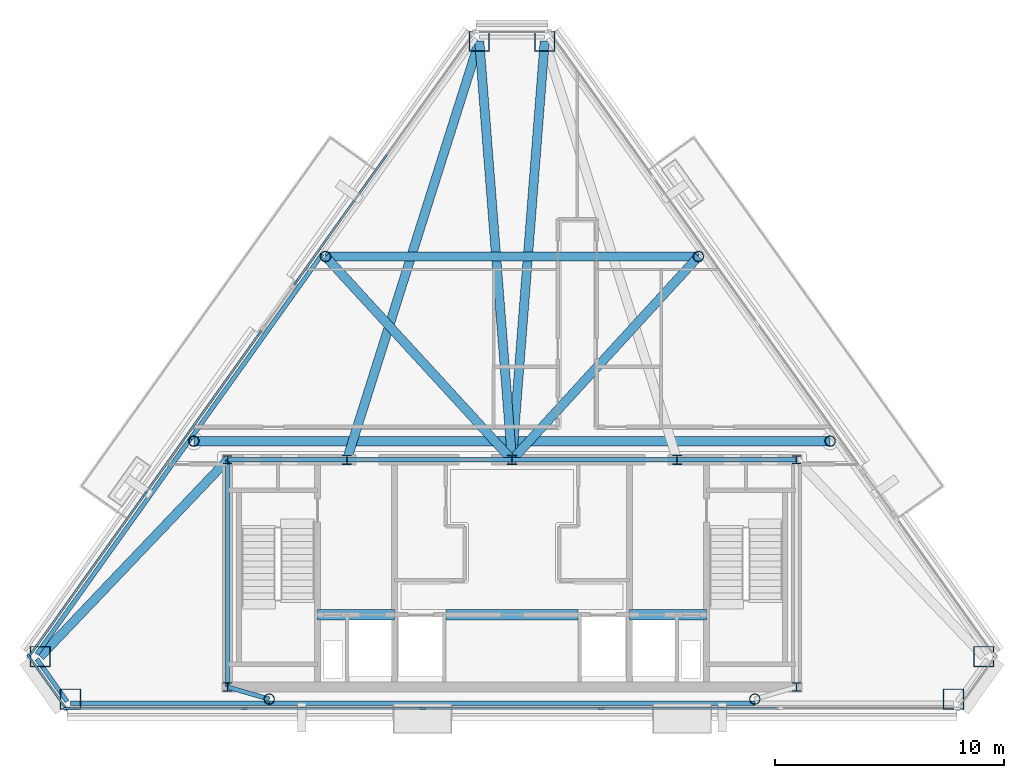
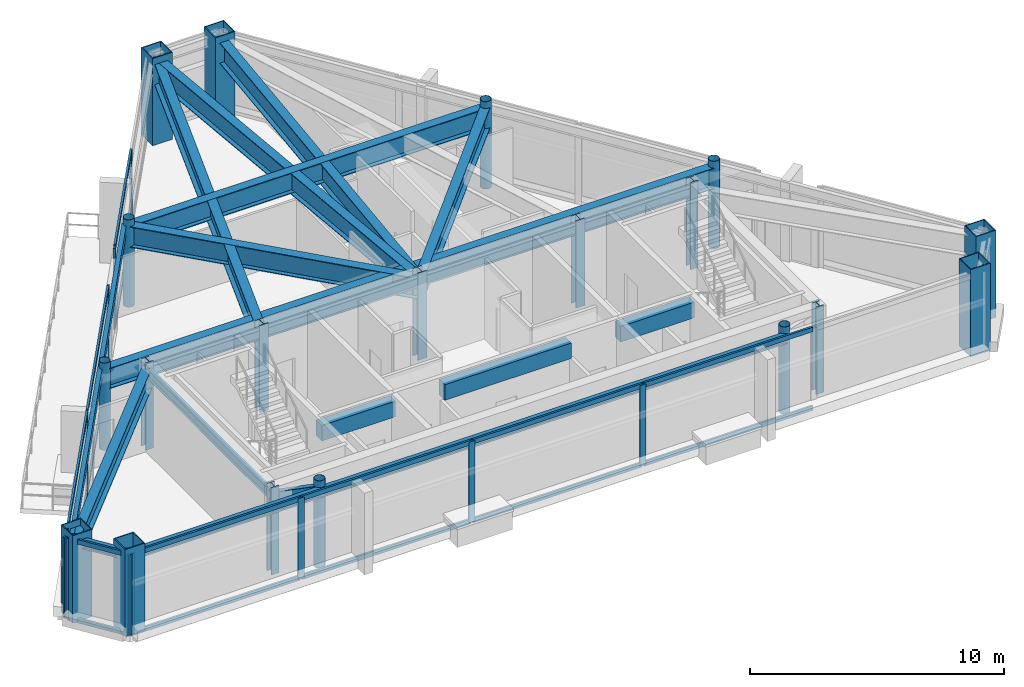
# One storey, part 1 of 7: 27 members, 22 beams, 19 columns, 4 elements without a shape of their own.
"""IFC4 building model written with IfcOpenShell, lengths in metres."""

from ifc_helpers import new_model, si_unit, direction, frame, origin, origin_2d, place, context, subcontext, project, spatial, rectangle, hollow_rectangle, hollow_circle, i_section, extrude, material, layer, layer_set, material_profile, profile_set, type_object, element, aggregate, save


model = new_model("IFC4")

# Units and contexts
model_context = context("Model", 3, precision=1e-05, world=origin(), true_north=direction((0.0, 1.0)))
body_context = subcontext(model_context, "Body", "Model", "MODEL_VIEW")
ifc_project = project(units=[si_unit("LENGTHUNIT", "METRE"), si_unit("AREAUNIT", "SQUARE_METRE"), si_unit("VOLUMEUNIT", "CUBIC_METRE"), si_unit("PLANEANGLEUNIT", "RADIAN"), si_unit("MASSUNIT", "GRAM", prefix="KILO")], contexts=[model_context])

# Site, building, storey
site_placement = place(None, origin())
site = spatial("IfcSite", under=ifc_project, at=site_placement, CompositionType="ELEMENT")
building_placement = place(site_placement, origin())
building = spatial("IfcBuilding", under=site, at=building_placement, Name="Talgorran Terracotta Tower", CompositionType="ELEMENT")
storey_placement = place(building_placement, frame((0.0, 0.0, 293.39990234375)))
storey = spatial("IfcBuildingStorey", under=building, at=storey_placement, Name="L77", CompositionType="ELEMENT", Elevation=293.39990234375)

# Columns
ifc_material_1 = material(Name="Steel S355 (300PLUS)", Category="steel")
ifc_material_profile_1 = material_profile(ifc_material_1, i_section(OverallWidth=0.35205078125, OverallDepth=0.35888671875, WebThickness=0.01806640625, FlangeThickness=0.02587890625, at=origin_2d()), Name="350WC197")
ifc_profile_set_1 = profile_set([ifc_material_profile_1], Name="Steel S355 (300PLUS)")
column_type_1 = type_object("IfcColumnType", Name="COL_350WC197", PredefinedType="COLUMN", material=ifc_profile_set_1)
for number, where, z_axis, x_axis, name in (
    (1, (-12.39990234375, -14.10009765625, 0.0), (0.0, 0.0, 1.0), (1.0, 0.0, 0.0), "L77 Core Boundary Column CC1"),
    (2, (12.39990234375, -14.10009765625, 0.0), (0.0, 0.0, 1.0), (1.0, 0.0, 0.0), "L77 Core Boundary Column CC2"),
    (3, (12.39990234375, -4.199951171875, 0.0), (0.0, 0.0, 1.0), (1.0, 0.0, 0.0), "L77 Core Boundary Column CC3"),
    (4, (-12.39990234375, -4.199951171875, 0.0), (0.0, 0.0, 1.0), (1.0, 0.0, 0.0), "L77 Core Boundary Column CC4"),
):
    element("IfcColumn", number, at=place(storey_placement, frame(where, z_axis=z_axis, x_axis=x_axis)), inside=storey, type_object=column_type_1, Name=name, PredefinedType="COLUMN", context=body_context, shape_type="SweptSolid", body=[
        extrude(i_section(OverallWidth=0.35205078125, OverallDepth=0.35888671875, WebThickness=0.01806640625, FlangeThickness=0.02587890625, at=origin_2d()), origin(), (0.0, 0.0, 1.0), 4.2001953125),
    ])
ifc_material_2 = material(Name="Steel Grade 350 (350L0)", Category="steel")
ifc_material_profile_2 = material_profile(ifc_material_2, hollow_rectangle(XDim=0.89990234375, YDim=0.89990234375, WallThickness=0.0400390625, at=origin_2d()), Name="CFT900X900X40")
ifc_profile_set_2 = profile_set([ifc_material_profile_2], Name="Steel Grade 350 (350L0)")
column_type_2 = type_object("IfcColumnType", Name="COL_CFT_900", PredefinedType="COLUMN", material=ifc_profile_set_2)
for number, where, z_axis, x_axis, name in (
    (5, (-20.566650390625, -12.774658203125, 0.0), (0.0, 0.0, 1.0), (1.0, 0.0, 0.0), "L77 Corner CFT Mega-Column MC1"),
    (6, (-19.242919921875, -14.6298828125, 0.0), (0.0, 0.0, 1.0), (1.0, 0.0, 0.0), "L77 Corner CFT Mega-Column MC2"),
    (7, (19.242919921875, -14.6298828125, 0.0), (0.0, 0.0, 1.0), (1.0, 0.0, 0.0), "L77 Corner CFT Mega-Column MC3"),
    (8, (20.566650390625, -12.774658203125, 0.0), (0.0, 0.0, 1.0), (1.0, 0.0, 0.0), "L77 Corner CFT Mega-Column MC4"),
    (9, (1.4267578125, 14.0546875, 0.0), (0.0, 0.0, 1.0), (1.0, 0.0, 0.0), "L77 Corner CFT Mega-Column MC5"),
    (10, (-1.4267578125, 14.0546875, 0.0), (0.0, 0.0, 1.0), (1.0, 0.0, 0.0), "L77 Corner CFT Mega-Column MC6"),
):
    element("IfcColumn", number, at=place(storey_placement, frame(where, z_axis=z_axis, x_axis=x_axis)), inside=storey, type_object=column_type_2, Name=name, PredefinedType="COLUMN", context=body_context, shape_type="SweptSolid", body=[
        extrude(hollow_rectangle(XDim=0.89990234375, YDim=0.89990234375, WallThickness=0.0400390625, at=origin_2d()), origin(), (0.0, 0.0, 1.0), 4.2001953125),
    ])
ifc_material_3 = material(Name="Steel S350 (C350L0)", Category="steel")
ifc_material_profile_3 = material_profile(ifc_material_3, hollow_circle(Radius=0.228515625, WallThickness=0.01611328125, at=origin_2d()), Name="CHS457X16")
ifc_profile_set_3 = profile_set([ifc_material_profile_3], Name="Steel S350 (C350L0)")
column_type_3 = type_object("IfcColumnType", Name="COL_CHS_457", PredefinedType="COLUMN", material=ifc_profile_set_3)
for number, where, z_axis, x_axis, name in (
    (11, (-10.58349609375, -14.6298828125, 0.0), (0.0, 0.0, 1.0), (1.0, 0.0, 0.0), "L77 Facet Perimeter Column FC1"),
    (12, (10.58349609375, -14.6298828125, 0.0), (0.0, 0.0, 1.0), (1.0, 0.0, 0.0), "L77 Facet Perimeter Column FC2"),
    (13, (13.86767578125, -3.384521484375, 0.0), (0.0, 0.0, 1.0), (1.0, 0.0, 0.0), "L77 Facet Perimeter Column FC3"),
    (14, (8.125732421875, 4.664306640625, 0.0), (0.0, 0.0, 1.0), (1.0, 0.0, 0.0), "L77 Facet Perimeter Column FC4"),
    (15, (-8.125732421875, 4.664306640625, 0.0), (0.0, 0.0, 1.0), (1.0, 0.0, 0.0), "L77 Facet Perimeter Column FC5"),
    (16, (-13.86767578125, -3.384521484375, 0.0), (0.0, 0.0, 1.0), (1.0, 0.0, 0.0), "L77 Facet Perimeter Column FC6"),
):
    element("IfcColumn", number, at=place(storey_placement, frame(where, z_axis=z_axis, x_axis=x_axis)), inside=storey, type_object=column_type_3, Name=name, PredefinedType="COLUMN", context=body_context, shape_type="SweptSolid", body=[
        extrude(hollow_circle(Radius=0.228515625, WallThickness=0.01611328125, at=origin_2d()), origin(), (0.0, 0.0, 1.0), 4.2001953125),
    ])
ifc_material_profile_4 = material_profile(ifc_material_1, i_section(OverallWidth=0.405029296875, OverallDepth=0.4140625, WebThickness=0.02197265625, FlangeThickness=0.031982421875, at=origin_2d()), Name="400WC270")
ifc_profile_set_4 = profile_set([ifc_material_profile_4], Name="Steel S355 (300PLUS)")
column_type_4 = type_object("IfcColumnType", Name="COL_PIL_400WC270", PredefinedType="PILASTER", material=ifc_profile_set_4)
for number, where, z_axis, x_axis, name in (
    (17, (-7.199951171875, -4.199951171875, 0.0), (0.0, 0.0, 1.0), (1.0, 0.0, 0.0), "L77 Core Shear Pilaster CP1"),
    (18, (0.0, -4.199951171875, 0.0), (0.0, 0.0, 1.0), (1.0, 0.0, 0.0), "L77 Core Shear Pilaster CP2"),
    (19, (7.199951171875, -4.199951171875, 0.0), (0.0, 0.0, 1.0), (1.0, 0.0, 0.0), "L77 Core Shear Pilaster CP3"),
):
    element("IfcColumn", number, at=place(storey_placement, frame(where, z_axis=z_axis, x_axis=x_axis)), inside=storey, type_object=column_type_4, Name=name, PredefinedType="PILASTER", context=body_context, shape_type="SweptSolid", body=[
        extrude(i_section(OverallWidth=0.405029296875, OverallDepth=0.4140625, WebThickness=0.02197265625, FlangeThickness=0.031982421875, at=origin_2d()), origin(), (0.0, 0.0, 1.0), 4.2001953125),
    ])

# Beams
ifc_material_profile_5 = material_profile(ifc_material_2, i_section(OverallWidth=0.39990234375, OverallDepth=1.0, WebThickness=0.01611328125, FlangeThickness=0.031005859375, at=origin_2d()), Name="1000WB296")
ifc_profile_set_5 = profile_set([ifc_material_profile_5], Name="Steel Grade 350 (350L0)")
beam_type_1 = type_object("IfcBeamType", Name="BM_1000WB296", PredefinedType="BEAM", material=ifc_profile_set_5)
beam_1_placement = place(storey_placement, frame((-7.199951171875, -4.199951171875, 3.380126953125), z_axis=(0.301538397756, 0.953454033857, 0.0), x_axis=(-0.953454033857, 0.301538397756, 0.0)))
element("IfcBeam", 20, at=beam_1_placement, inside=storey, type_object=beam_type_1, Name="L77 Observation/Crown Girder OG1", PredefinedType="BEAM", context=body_context, shape_type="SweptSolid", body=[
    extrude(i_section(OverallWidth=0.39990234375, OverallDepth=1.0, WebThickness=0.01611328125, FlangeThickness=0.031005859375, at=origin_2d()), origin(), (0.0, 0.0, 1.0), 19.145751953125),
])
for number, where, z_axis, x_axis, name in (
    (21, (0.0, -4.199951171875, 3.380126953125), (-0.077921005866, 0.996959536212, 0.0), (-0.996959536212, -0.077921005866, 0.0), "L77 Observation/Crown Girder OG1T"),
    (22, (0.0, -4.199951171875, 3.380126953125), (0.077921005866, 0.996959536212, 0.0), (-0.996959536212, 0.077921005866, 0.0), "L77 Observation/Crown Girder OG2T"),
):
    element("IfcBeam", number, at=place(storey_placement, frame(where, z_axis=z_axis, x_axis=x_axis)), inside=storey, type_object=beam_type_1, Name=name, PredefinedType="BEAM", context=body_context, shape_type="SweptSolid", body=[
        extrude(i_section(OverallWidth=0.39990234375, OverallDepth=1.0, WebThickness=0.01611328125, FlangeThickness=0.031005859375, at=origin_2d()), origin(), (0.0, 0.0, 1.0), 18.310302734375),
    ])
for number, where, z_axis, x_axis, name in (
    (23, (0.0, -4.199951171875, 3.380126953125), (-0.675731983394, 0.737147398163, 0.0), (-0.737147398163, -0.675731983394, 0.0), "L77 Observation/Crown Girder OG3"),
    (24, (0.0, -4.199951171875, 3.380126953125), (0.675731983394, 0.737147398163, 0.0), (-0.737147398163, 0.675731983394, 0.0), "L77 Observation/Crown Girder OG3B"),
):
    element("IfcBeam", number, at=place(storey_placement, frame(where, z_axis=z_axis, x_axis=x_axis)), inside=storey, type_object=beam_type_1, Name=name, PredefinedType="BEAM", context=body_context, shape_type="SweptSolid", body=[
        extrude(i_section(OverallWidth=0.39990234375, OverallDepth=1.0, WebThickness=0.01611328125, FlangeThickness=0.031005859375, at=origin_2d()), origin(), (0.0, 0.0, 1.0), 12.025146484375),
    ])
beam_2_placement = place(storey_placement, frame((-13.86767578125, -3.384521484375, 3.380126953125), z_axis=(1.0, 0.0, 0.0), x_axis=(0.0, 1.0, 0.0)))
element("IfcBeam", 25, at=beam_2_placement, inside=storey, type_object=beam_type_1, Name="L77 Observation/Crown Girder OG4", PredefinedType="BEAM", context=body_context, shape_type="SweptSolid", body=[
    extrude(i_section(OverallWidth=0.39990234375, OverallDepth=1.0, WebThickness=0.01611328125, FlangeThickness=0.031005859375, at=origin_2d()), origin(), (0.0, 0.0, 1.0), 27.7353515625),
])
beam_3_placement = place(storey_placement, frame((-8.125732421875, 4.664306640625, 3.380126953125), z_axis=(1.0, 0.0, 0.0), x_axis=(0.0, 1.0, 0.0)))
element("IfcBeam", 26, at=beam_3_placement, inside=storey, type_object=beam_type_1, Name="L77 Observation/Crown Girder OG5", PredefinedType="BEAM", context=body_context, shape_type="SweptSolid", body=[
    extrude(i_section(OverallWidth=0.39990234375, OverallDepth=1.0, WebThickness=0.01611328125, FlangeThickness=0.031005859375, at=origin_2d()), origin(), (0.0, 0.0, 1.0), 16.25146484375),
])
beam_4_placement = place(storey_placement, frame((-12.39990234375, -4.199951171875, 3.380126953125), z_axis=(-0.689671131697, -0.724122731382, 0.0), x_axis=(0.724122731382, -0.689671131697, 0.0)))
element("IfcBeam", 27, at=beam_4_placement, inside=storey, type_object=beam_type_1, Name="L77 Observation/Crown Girder OG6", PredefinedType="BEAM", context=body_context, shape_type="SweptSolid", body=[
    extrude(i_section(OverallWidth=0.39990234375, OverallDepth=1.0, WebThickness=0.01611328125, FlangeThickness=0.031005859375, at=origin_2d()), origin(), (0.0, 0.0, 1.0), 11.841552734375),
])
ifc_material_4 = material(Name="Concrete C50/60", Category="concrete")
ifc_material_profile_6 = material_profile(ifc_material_4, rectangle(XDim=0.449951171875, YDim=0.75, at=origin_2d()), Name="RCCB450X750")
ifc_profile_set_6 = profile_set([ifc_material_profile_6], Name="Concrete C50/60")
beam_type_2 = type_object("IfcBeamType", Name="BM_CB_450X750", PredefinedType="LINTEL", material=ifc_profile_set_6)
beam_5_placement = place(storey_placement, frame((-8.47998046875, -10.949951171875, 3.505126953125), z_axis=(1.0, 0.0, 0.0), x_axis=(0.0, 1.0, 0.0)))
element("IfcBeam", 28, at=beam_5_placement, inside=storey, type_object=beam_type_2, Name="L77 Core Shear-Wall Coupling Beam CB1", PredefinedType="LINTEL", context=body_context, shape_type="SweptSolid", body=[
    extrude(rectangle(XDim=0.449951171875, YDim=0.75, at=origin_2d()), origin(), (0.0, 0.0, 1.0), 3.35986328125),
])
beam_6_placement = place(storey_placement, frame((-2.8798828125, -10.949951171875, 3.505126953125), z_axis=(1.0, 0.0, 0.0), x_axis=(0.0, 1.0, 0.0)))
element("IfcBeam", 29, at=beam_6_placement, inside=storey, type_object=beam_type_2, Name="L77 Core Shear-Wall Coupling Beam CB2", PredefinedType="LINTEL", context=body_context, shape_type="SweptSolid", body=[
    extrude(rectangle(XDim=0.449951171875, YDim=0.75, at=origin_2d()), origin(), (0.0, 0.0, 1.0), 5.759765625),
])
beam_7_placement = place(storey_placement, frame((5.1201171875, -10.949951171875, 3.505126953125), z_axis=(1.0, 0.0, 0.0), x_axis=(0.0, 1.0, 0.0)))
element("IfcBeam", 30, at=beam_7_placement, inside=storey, type_object=beam_type_2, Name="L77 Core Shear-Wall Coupling Beam CB3", PredefinedType="LINTEL", context=body_context, shape_type="SweptSolid", body=[
    extrude(rectangle(XDim=0.449951171875, YDim=0.75, at=origin_2d()), origin(), (0.0, 0.0, 1.0), 3.35986328125),
])
ifc_material_profile_7 = material_profile(ifc_material_1, i_section(OverallWidth=0.18994140625, OverallDepth=0.45703125, WebThickness=0.009033203125, FlangeThickness=0.014404296875, at=origin_2d()), Name="460UB74.6")
ifc_profile_set_7 = profile_set([ifc_material_profile_7], Name="Steel S355 (300PLUS)")
beam_type_3 = type_object("IfcBeamType", Name="BM_SP_460UB74", PredefinedType="SPANDREL", material=ifc_profile_set_7)
beam_8_placement = place(storey_placement, frame((-20.713134765625, -12.879150390625, 3.651611328125), z_axis=(0.580772007805, -0.814066259557, 0.0), x_axis=(0.814066259557, 0.580772007805, 0.0)))
element("IfcBeam", 31, at=beam_8_placement, inside=storey, type_object=beam_type_3, Name="L77 Perimeter Spandrel Beam MC1-MC2", PredefinedType="SPANDREL", context=body_context, shape_type="SweptSolid", body=[
    extrude(i_section(OverallWidth=0.18994140625, OverallDepth=0.45703125, WebThickness=0.009033203125, FlangeThickness=0.014404296875, at=origin_2d()), origin(), (0.0, 0.0, 1.0), 2.279296875),
])
beam_9_placement = place(storey_placement, frame((-19.242919921875, -14.81005859375, 3.651611328125), z_axis=(1.0, 0.0, 0.0), x_axis=(0.0, 1.0, 0.0)))
element("IfcBeam", 32, at=beam_9_placement, inside=storey, type_object=beam_type_3, Name="L77 Perimeter Spandrel Beam MC2-FC1", PredefinedType="SPANDREL", context=body_context, shape_type="SweptSolid", body=[
    extrude(i_section(OverallWidth=0.18994140625, OverallDepth=0.45703125, WebThickness=0.009033203125, FlangeThickness=0.014404296875, at=origin_2d()), origin(), (0.0, 0.0, 1.0), 8.659423828125),
])
beam_10_placement = place(storey_placement, frame((-10.58349609375, -14.81005859375, 3.651611328125), z_axis=(1.0, 0.0, 0.0), x_axis=(0.0, 1.0, 0.0)))
element("IfcBeam", 33, at=beam_10_placement, inside=storey, type_object=beam_type_3, Name="L77 Perimeter Spandrel Beam FC1-FC2", PredefinedType="SPANDREL", context=body_context, shape_type="SweptSolid", body=[
    extrude(i_section(OverallWidth=0.18994140625, OverallDepth=0.45703125, WebThickness=0.009033203125, FlangeThickness=0.014404296875, at=origin_2d()), origin(), (0.0, 0.0, 1.0), 21.1669921875),
])
beam_11_placement = place(storey_placement, frame((-8.272216796875, 4.768798828125, 3.651611328125), z_axis=(-0.58076625008, -0.814070367209, 0.0), x_axis=(0.814070367209, -0.58076625008, 0.0)))
element("IfcBeam", 34, at=beam_11_placement, inside=storey, type_object=beam_type_3, Name="L77 Perimeter Spandrel Beam FC5-FC6", PredefinedType="SPANDREL", context=body_context, shape_type="SweptSolid", body=[
    extrude(i_section(OverallWidth=0.18994140625, OverallDepth=0.45703125, WebThickness=0.009033203125, FlangeThickness=0.014404296875, at=origin_2d()), origin(), (0.0, 0.0, 1.0), 9.88671875),
])
beam_12_placement = place(storey_placement, frame((-14.01416015625, -3.27978515625, 3.651611328125), z_axis=(-0.580753577836, -0.81407940757, 0.0), x_axis=(0.81407940757, -0.580753577836, 0.0)))
element("IfcBeam", 35, at=beam_12_placement, inside=storey, type_object=beam_type_3, Name="L77 Perimeter Spandrel Beam FC6-MC1", PredefinedType="SPANDREL", context=body_context, shape_type="SweptSolid", body=[
    extrude(i_section(OverallWidth=0.18994140625, OverallDepth=0.45703125, WebThickness=0.009033203125, FlangeThickness=0.014404296875, at=origin_2d()), origin(), (0.0, 0.0, 1.0), 11.534912109375),
])
beam_13_placement = place(storey_placement, frame((-10.58349609375, -14.6298828125, 3.651611328125), z_axis=(-0.96, 0.28, 0.0), x_axis=(-0.28, -0.96, 0.0)))
element("IfcBeam", 36, at=beam_13_placement, inside=storey, type_object=beam_type_3, Name="L77 South-West Core Tie Beam", PredefinedType="SPANDREL", context=body_context, shape_type="SweptSolid", body=[
    extrude(i_section(OverallWidth=0.18994140625, OverallDepth=0.45703125, WebThickness=0.009033203125, FlangeThickness=0.014404296875, at=origin_2d()), origin(), (0.0, 0.0, 1.0), 1.89208984375),
])
beam_14_placement = place(storey_placement, frame((-12.39990234375, -14.10009765625, 3.651611328125), z_axis=(0.0, 1.0, 0.0), x_axis=(-1.0, 0.0, 0.0)))
element("IfcBeam", 37, at=beam_14_placement, inside=storey, type_object=beam_type_3, Name="L77 Core Frame Beam CFW", PredefinedType="SPANDREL", context=body_context, shape_type="SweptSolid", body=[
    extrude(i_section(OverallWidth=0.18994140625, OverallDepth=0.45703125, WebThickness=0.009033203125, FlangeThickness=0.014404296875, at=origin_2d()), origin(), (0.0, 0.0, 1.0), 9.900146484375),
])
beam_15_placement = place(storey_placement, frame((-12.39990234375, -4.199951171875, 3.651611328125), z_axis=(1.0, 0.0, 0.0), x_axis=(0.0, 1.0, 0.0)))
element("IfcBeam", 38, at=beam_15_placement, inside=storey, type_object=beam_type_3, Name="L77 Core Frame Beam CFN1", PredefinedType="SPANDREL", context=body_context, shape_type="SweptSolid", body=[
    extrude(i_section(OverallWidth=0.18994140625, OverallDepth=0.45703125, WebThickness=0.009033203125, FlangeThickness=0.014404296875, at=origin_2d()), origin(), (0.0, 0.0, 1.0), 5.199951171875),
])
for number, where, z_axis, x_axis, name in (
    (39, (-7.199951171875, -4.199951171875, 3.651611328125), (1.0, 0.0, 0.0), (0.0, 1.0, 0.0), "L77 Core Frame Beam CFN2"),
    (40, (0.0, -4.199951171875, 3.651611328125), (1.0, 0.0, 0.0), (0.0, 1.0, 0.0), "L77 Core Frame Beam CFN3"),
):
    element("IfcBeam", number, at=place(storey_placement, frame(where, z_axis=z_axis, x_axis=x_axis)), inside=storey, type_object=beam_type_3, Name=name, PredefinedType="SPANDREL", context=body_context, shape_type="SweptSolid", body=[
        extrude(i_section(OverallWidth=0.18994140625, OverallDepth=0.45703125, WebThickness=0.009033203125, FlangeThickness=0.014404296875, at=origin_2d()), origin(), (0.0, 0.0, 1.0), 7.199951171875),
    ])
beam_16_placement = place(storey_placement, frame((7.199951171875, -4.199951171875, 3.651611328125), z_axis=(1.0, 0.0, 0.0), x_axis=(0.0, 1.0, 0.0)))
element("IfcBeam", 41, at=beam_16_placement, inside=storey, type_object=beam_type_3, Name="L77 Core Frame Beam CFN4", PredefinedType="SPANDREL", context=body_context, shape_type="SweptSolid", body=[
    extrude(i_section(OverallWidth=0.18994140625, OverallDepth=0.45703125, WebThickness=0.009033203125, FlangeThickness=0.014404296875, at=origin_2d()), origin(), (0.0, 0.0, 1.0), 5.199951171875),
])

# Curtain wall, members
ifc_material_5 = material(Name="Structural Laminated Low-Iron")
ifc_layer = layer(ifc_material_5, 0.239990234375, Name="CW_SYS5_SKY_OBS")
ifc_layer_set = layer_set([ifc_layer], Name="Structural Laminated Low-Iron")
curtain_wall_type = type_object("IfcCurtainWallType", Name="CW_SYS5_SKY_OBS", PredefinedType="NOTDEFINED", material=ifc_layer_set)
curtain_wall_1_placement = place(storey_placement, origin())
curtain_wall_1 = element("IfcCurtainWall", 42, at=curtain_wall_1_placement, inside=storey, type_object=curtain_wall_type, Name="CW-L77-F0", PredefinedType="NOTDEFINED")
ifc_material_6 = material(Name="Architectural Aluminium 6063-T6", Category="aluminium")
ifc_material_profile_8 = material_profile(ifc_material_6, rectangle(XDim=0.090087890625, YDim=0.280029296875, at=origin_2d()), Name="CWM90X280")
ifc_profile_set_8 = profile_set([ifc_material_profile_8], Name="Architectural Aluminium 6063-T6")
member_type_1 = type_object("IfcMemberType", Name="MUL_90X280", PredefinedType="MULLION", material=ifc_profile_set_8)
member_1_placement = place(storey_placement, frame((-21.031982421875, -12.811279296875, 0.0), z_axis=(0.0, 0.0, 1.0), x_axis=(0.814074765018, 0.580760085543, 0.0)))
member_1 = element("IfcMember", 43, at=member_1_placement, type_object=member_type_1, Name="CW-L77-0 mullion 1", PredefinedType="MULLION", context=body_context, shape_type="SweptSolid", body=[
    extrude(rectangle(XDim=0.090087890625, YDim=0.280029296875, at=origin_2d()), origin(), (0.0, 0.0, 1.0), 3.880126953125),
])
member_2_placement = place(storey_placement, frame((-19.47509765625, -14.993408203125, 0.0), z_axis=(0.0, 0.0, 1.0), x_axis=(0.814074765018, 0.580760085543, 0.0)))
member_2 = element("IfcMember", 44, at=member_2_placement, type_object=member_type_1, Name="CW-L77-0 mullion 2", PredefinedType="MULLION", context=body_context, shape_type="SweptSolid", body=[
    extrude(rectangle(XDim=0.090087890625, YDim=0.280029296875, at=origin_2d()), origin(), (0.0, 0.0, 1.0), 3.880126953125),
])

curtain_wall_2_placement = place(storey_placement, origin())
curtain_wall_2 = element("IfcCurtainWall", 45, at=curtain_wall_2_placement, inside=storey, type_object=curtain_wall_type, Name="CW-L77-F1", PredefinedType="NOTDEFINED")
member_3_placement = place(storey_placement, frame((-19.404052734375, -15.030029296875, 0.0), z_axis=(0.0, 0.0, 1.0), x_axis=(0.0, 1.0, 0.0)))
member_3 = element("IfcMember", 46, at=member_3_placement, type_object=member_type_1, Name="CW-L77-1 mullion 1", PredefinedType="MULLION", context=body_context, shape_type="SweptSolid", body=[
    extrude(rectangle(XDim=0.090087890625, YDim=0.280029296875, at=origin_2d()), origin(), (0.0, 0.0, 1.0), 3.880126953125),
])
member_4_placement = place(storey_placement, frame((-11.66943359375, -15.030029296875, 0.0), z_axis=(0.0, 0.0, 1.0), x_axis=(0.0, 1.0, 0.0)))
member_4 = element("IfcMember", 47, at=member_4_placement, type_object=member_type_1, Name="CW-L77-1 mullion 2", PredefinedType="MULLION", context=body_context, shape_type="SweptSolid", body=[
    extrude(rectangle(XDim=0.090087890625, YDim=0.280029296875, at=origin_2d()), origin(), (0.0, 0.0, 1.0), 3.880126953125),
])
member_5_placement = place(storey_placement, frame((-3.889892578125, -15.030029296875, 0.0), z_axis=(0.0, 0.0, 1.0), x_axis=(0.0, 1.0, 0.0)))
member_5 = element("IfcMember", 48, at=member_5_placement, type_object=member_type_1, Name="CW-L77-1 mullion 3", PredefinedType="MULLION", context=body_context, shape_type="SweptSolid", body=[
    extrude(rectangle(XDim=0.090087890625, YDim=0.280029296875, at=origin_2d()), origin(), (0.0, 0.0, 1.0), 3.880126953125),
])
member_6_placement = place(storey_placement, frame((3.889892578125, -15.030029296875, 0.0), z_axis=(0.0, 0.0, 1.0), x_axis=(0.0, 1.0, 0.0)))
member_6 = element("IfcMember", 49, at=member_6_placement, type_object=member_type_1, Name="CW-L77-1 mullion 4", PredefinedType="MULLION", context=body_context, shape_type="SweptSolid", body=[
    extrude(rectangle(XDim=0.090087890625, YDim=0.280029296875, at=origin_2d()), origin(), (0.0, 0.0, 1.0), 3.880126953125),
])

curtain_wall_3_placement = place(storey_placement, origin())
curtain_wall_3 = element("IfcCurtainWall", 50, at=curtain_wall_3_placement, inside=storey, type_object=curtain_wall_type, Name="CW-L77-F60", PredefinedType="NOTDEFINED")
member_7_placement = place(storey_placement, frame((-5.544677734375, 8.97119140625, 0.0), z_axis=(0.0, 0.0, 1.0), x_axis=(0.814072389487, -0.580763415406, 0.0)))
member_7 = element("IfcMember", 51, at=member_7_placement, type_object=member_type_1, Name="CW-L77-60 mullion 2", PredefinedType="MULLION", context=body_context, shape_type="SweptSolid", body=[
    extrude(rectangle(XDim=0.090087890625, YDim=0.280029296875, at=origin_2d()), origin(), (0.0, 0.0, 1.0), 3.880126953125),
])
member_8_placement = place(storey_placement, frame((-9.4072265625, 3.556884765625, 0.0), z_axis=(0.0, 0.0, 1.0), x_axis=(0.814072389487, -0.580763415406, 0.0)))
member_8 = element("IfcMember", 52, at=member_8_placement, type_object=member_type_1, Name="CW-L77-60 mullion 3", PredefinedType="MULLION", context=body_context, shape_type="SweptSolid", body=[
    extrude(rectangle(XDim=0.090087890625, YDim=0.280029296875, at=origin_2d()), origin(), (0.0, 0.0, 1.0), 3.880126953125),
])

curtain_wall_4_placement = place(storey_placement, origin())
curtain_wall_4 = element("IfcCurtainWall", 53, at=curtain_wall_4_placement, inside=storey, type_object=curtain_wall_type, Name="CW-L77-F61", PredefinedType="NOTDEFINED")
member_9_placement = place(storey_placement, frame((-11.00439453125, 1.318115234375, 0.0), z_axis=(0.0, 0.0, 1.0), x_axis=(0.814073974051, -0.580761194272, 0.0)))
member_9 = element("IfcMember", 54, at=member_9_placement, type_object=member_type_1, Name="CW-L77-61 mullion 1", PredefinedType="MULLION", context=body_context, shape_type="SweptSolid", body=[
    extrude(rectangle(XDim=0.090087890625, YDim=0.280029296875, at=origin_2d()), origin(), (0.0, 0.0, 1.0), 3.880126953125),
])
member_10_placement = place(storey_placement, frame((-16.006591796875, -5.693603515625, 0.0), z_axis=(0.0, 0.0, 1.0), x_axis=(0.814073974051, -0.580761194272, 0.0)))
member_10 = element("IfcMember", 55, at=member_10_placement, type_object=member_type_1, Name="CW-L77-61 mullion 2", PredefinedType="MULLION", context=body_context, shape_type="SweptSolid", body=[
    extrude(rectangle(XDim=0.090087890625, YDim=0.280029296875, at=origin_2d()), origin(), (0.0, 0.0, 1.0), 3.880126953125),
])
member_11_placement = place(storey_placement, frame((-21.008544921875, -12.705322265625, 0.0), z_axis=(0.0, 0.0, 1.0), x_axis=(0.814073974051, -0.580761194272, 0.0)))
member_11 = element("IfcMember", 56, at=member_11_placement, type_object=member_type_1, Name="CW-L77-61 mullion 3", PredefinedType="MULLION", context=body_context, shape_type="SweptSolid", body=[
    extrude(rectangle(XDim=0.090087890625, YDim=0.280029296875, at=origin_2d()), origin(), (0.0, 0.0, 1.0), 3.880126953125),
])

# Member
ifc_material_profile_9 = material_profile(ifc_material_6, rectangle(XDim=0.090087890625, YDim=0.22509765625, at=origin_2d()), Name="CWT90X225")
ifc_profile_set_9 = profile_set([ifc_material_profile_9], Name="Architectural Aluminium 6063-T6")
member_type_2 = type_object("IfcMemberType", Name="TRN_90X225", PredefinedType="USERDEFINED", material=ifc_profile_set_9)
member_12_placement = place(storey_placement, frame((-21.005615234375, -12.847900390625, 0.045166015625), z_axis=(0.580738839555, -0.814089921466, 0.0), x_axis=(0.814089921466, 0.580738839555, 0.0)))
member_12 = element("IfcMember", 57, at=member_12_placement, type_object=member_type_2, Name="CW-L77-0 transom 1.1", ObjectType="TRANSOM", PredefinedType="USERDEFINED", context=body_context, shape_type="SweptSolid", body=[
    extrude(rectangle(XDim=0.090087890625, YDim=0.22509765625, at=origin_2d()), origin(), (0.0, 0.0, 1.0), 2.590576171875),
])

member_13_placement = place(storey_placement, frame((-21.005615234375, -12.847900390625, 3.835205078125), z_axis=(0.580738839555, -0.814089921466, 0.0), x_axis=(0.814089921466, 0.580738839555, 0.0)))
member_13 = element("IfcMember", 58, at=member_13_placement, type_object=member_type_2, Name="CW-L77-0 transom 1.2", ObjectType="TRANSOM", PredefinedType="USERDEFINED", context=body_context, shape_type="SweptSolid", body=[
    extrude(rectangle(XDim=0.090087890625, YDim=0.22509765625, at=origin_2d()), origin(), (0.0, 0.0, 1.0), 2.590576171875),
])

aggregate(curtain_wall_1, [member_1, member_2, member_12, member_13])

member_14_placement = place(storey_placement, frame((-19.35888671875, -15.030029296875, 0.045166015625), z_axis=(1.0, 0.0, 0.0), x_axis=(0.0, 1.0, 0.0)))
member_14 = element("IfcMember", 59, at=member_14_placement, type_object=member_type_2, Name="CW-L77-1 transom 1.1", ObjectType="TRANSOM", PredefinedType="USERDEFINED", context=body_context, shape_type="SweptSolid", body=[
    extrude(rectangle(XDim=0.090087890625, YDim=0.22509765625, at=origin_2d()), origin(), (0.0, 0.0, 1.0), 7.64453125),
])

member_15_placement = place(storey_placement, frame((-19.35888671875, -15.030029296875, 3.835205078125), z_axis=(1.0, 0.0, 0.0), x_axis=(0.0, 1.0, 0.0)))
member_15 = element("IfcMember", 60, at=member_15_placement, type_object=member_type_2, Name="CW-L77-1 transom 1.2", ObjectType="TRANSOM", PredefinedType="USERDEFINED", context=body_context, shape_type="SweptSolid", body=[
    extrude(rectangle(XDim=0.090087890625, YDim=0.22509765625, at=origin_2d()), origin(), (0.0, 0.0, 1.0), 7.64453125),
])

member_16_placement = place(storey_placement, frame((-11.62451171875, -15.030029296875, 0.045166015625), z_axis=(1.0, 0.0, 0.0), x_axis=(0.0, 1.0, 0.0)))
member_16 = element("IfcMember", 61, at=member_16_placement, type_object=member_type_2, Name="CW-L77-1 transom 2.1", ObjectType="TRANSOM", PredefinedType="USERDEFINED", context=body_context, shape_type="SweptSolid", body=[
    extrude(rectangle(XDim=0.090087890625, YDim=0.22509765625, at=origin_2d()), origin(), (0.0, 0.0, 1.0), 7.689697265625),
])

member_17_placement = place(storey_placement, frame((-11.62451171875, -15.030029296875, 3.835205078125), z_axis=(1.0, 0.0, 0.0), x_axis=(0.0, 1.0, 0.0)))
member_17 = element("IfcMember", 62, at=member_17_placement, type_object=member_type_2, Name="CW-L77-1 transom 2.2", ObjectType="TRANSOM", PredefinedType="USERDEFINED", context=body_context, shape_type="SweptSolid", body=[
    extrude(rectangle(XDim=0.090087890625, YDim=0.22509765625, at=origin_2d()), origin(), (0.0, 0.0, 1.0), 7.689697265625),
])

member_18_placement = place(storey_placement, frame((-3.8447265625, -15.030029296875, 0.045166015625), z_axis=(1.0, 0.0, 0.0), x_axis=(0.0, 1.0, 0.0)))
member_18 = element("IfcMember", 63, at=member_18_placement, type_object=member_type_2, Name="CW-L77-1 transom 3.1", ObjectType="TRANSOM", PredefinedType="USERDEFINED", context=body_context, shape_type="SweptSolid", body=[
    extrude(rectangle(XDim=0.090087890625, YDim=0.22509765625, at=origin_2d()), origin(), (0.0, 0.0, 1.0), 7.689453125),
])

member_19_placement = place(storey_placement, frame((-3.8447265625, -15.030029296875, 3.835205078125), z_axis=(1.0, 0.0, 0.0), x_axis=(0.0, 1.0, 0.0)))
member_19 = element("IfcMember", 64, at=member_19_placement, type_object=member_type_2, Name="CW-L77-1 transom 3.2", ObjectType="TRANSOM", PredefinedType="USERDEFINED", context=body_context, shape_type="SweptSolid", body=[
    extrude(rectangle(XDim=0.090087890625, YDim=0.22509765625, at=origin_2d()), origin(), (0.0, 0.0, 1.0), 7.689453125),
])

member_20_placement = place(storey_placement, frame((3.934814453125, -15.030029296875, 0.045166015625), z_axis=(1.0, 0.0, 0.0), x_axis=(0.0, 1.0, 0.0)))
member_20 = element("IfcMember", 65, at=member_20_placement, type_object=member_type_2, Name="CW-L77-1 transom 4.1", ObjectType="TRANSOM", PredefinedType="USERDEFINED", context=body_context, shape_type="SweptSolid", body=[
    extrude(rectangle(XDim=0.090087890625, YDim=0.22509765625, at=origin_2d()), origin(), (0.0, 0.0, 1.0), 7.689697265625),
])

member_21_placement = place(storey_placement, frame((3.934814453125, -15.030029296875, 3.835205078125), z_axis=(1.0, 0.0, 0.0), x_axis=(0.0, 1.0, 0.0)))
member_21 = element("IfcMember", 66, at=member_21_placement, type_object=member_type_2, Name="CW-L77-1 transom 4.2", ObjectType="TRANSOM", PredefinedType="USERDEFINED", context=body_context, shape_type="SweptSolid", body=[
    extrude(rectangle(XDim=0.090087890625, YDim=0.22509765625, at=origin_2d()), origin(), (0.0, 0.0, 1.0), 7.689697265625),
])

aggregate(curtain_wall_2, [member_3, member_4, member_5, member_6, member_14, member_15, member_16, member_17, member_18, member_19, member_20, member_21])

member_22_placement = place(storey_placement, frame((-5.57080078125, 8.9345703125, 0.045166015625), z_axis=(-0.580759372636, -0.814075273605, 0.0), x_axis=(0.814075273605, -0.580759372636, 0.0)))
member_22 = element("IfcMember", 67, at=member_22_placement, type_object=member_type_2, Name="CW-L77-60 transom 2.1", ObjectType="TRANSOM", PredefinedType="USERDEFINED", context=body_context, shape_type="SweptSolid", body=[
    extrude(rectangle(XDim=0.090087890625, YDim=0.22509765625, at=origin_2d()), origin(), (0.0, 0.0, 1.0), 6.560791015625),
])

member_23_placement = place(storey_placement, frame((-5.57080078125, 8.9345703125, 3.835205078125), z_axis=(-0.580759372636, -0.814075273605, 0.0), x_axis=(0.814075273605, -0.580759372636, 0.0)))
member_23 = element("IfcMember", 68, at=member_23_placement, type_object=member_type_2, Name="CW-L77-60 transom 2.2", ObjectType="TRANSOM", PredefinedType="USERDEFINED", context=body_context, shape_type="SweptSolid", body=[
    extrude(rectangle(XDim=0.090087890625, YDim=0.22509765625, at=origin_2d()), origin(), (0.0, 0.0, 1.0), 6.560791015625),
])

aggregate(curtain_wall_3, [member_7, member_8, member_22, member_23])

member_24_placement = place(storey_placement, frame((-11.030517578125, 1.281494140625, 0.045166015625), z_axis=(-0.580763915147, -0.81407203297, 0.0), x_axis=(0.81407203297, -0.580763915147, 0.0)))
member_24 = element("IfcMember", 69, at=member_24_placement, type_object=member_type_2, Name="CW-L77-61 transom 1.1", ObjectType="TRANSOM", PredefinedType="USERDEFINED", context=body_context, shape_type="SweptSolid", body=[
    extrude(rectangle(XDim=0.090087890625, YDim=0.22509765625, at=origin_2d()), origin(), (0.0, 0.0, 1.0), 8.523193359375),
])

member_25_placement = place(storey_placement, frame((-11.030517578125, 1.281494140625, 3.835205078125), z_axis=(-0.580763915147, -0.81407203297, 0.0), x_axis=(0.81407203297, -0.580763915147, 0.0)))
member_25 = element("IfcMember", 70, at=member_25_placement, type_object=member_type_2, Name="CW-L77-61 transom 1.2", ObjectType="TRANSOM", PredefinedType="USERDEFINED", context=body_context, shape_type="SweptSolid", body=[
    extrude(rectangle(XDim=0.090087890625, YDim=0.22509765625, at=origin_2d()), origin(), (0.0, 0.0, 1.0), 8.523193359375),
])

member_26_placement = place(storey_placement, frame((-16.03271484375, -5.730224609375, 0.045166015625), z_axis=(-0.580744931691, -0.814085575548, 0.0), x_axis=(0.814085575548, -0.580744931691, 0.0)))
member_26 = element("IfcMember", 71, at=member_26_placement, type_object=member_type_2, Name="CW-L77-61 transom 2.1", ObjectType="TRANSOM", PredefinedType="USERDEFINED", context=body_context, shape_type="SweptSolid", body=[
    extrude(rectangle(XDim=0.090087890625, YDim=0.22509765625, at=origin_2d()), origin(), (0.0, 0.0, 1.0), 8.52294921875),
])

member_27_placement = place(storey_placement, frame((-16.03271484375, -5.730224609375, 3.835205078125), z_axis=(-0.580744931691, -0.814085575548, 0.0), x_axis=(0.814085575548, -0.580744931691, 0.0)))
member_27 = element("IfcMember", 72, at=member_27_placement, type_object=member_type_2, Name="CW-L77-61 transom 2.2", ObjectType="TRANSOM", PredefinedType="USERDEFINED", context=body_context, shape_type="SweptSolid", body=[
    extrude(rectangle(XDim=0.090087890625, YDim=0.22509765625, at=origin_2d()), origin(), (0.0, 0.0, 1.0), 8.52294921875),
])

aggregate(curtain_wall_4, [member_9, member_10, member_11, member_24, member_25, member_26, member_27])

save(model, "model.ifc")
